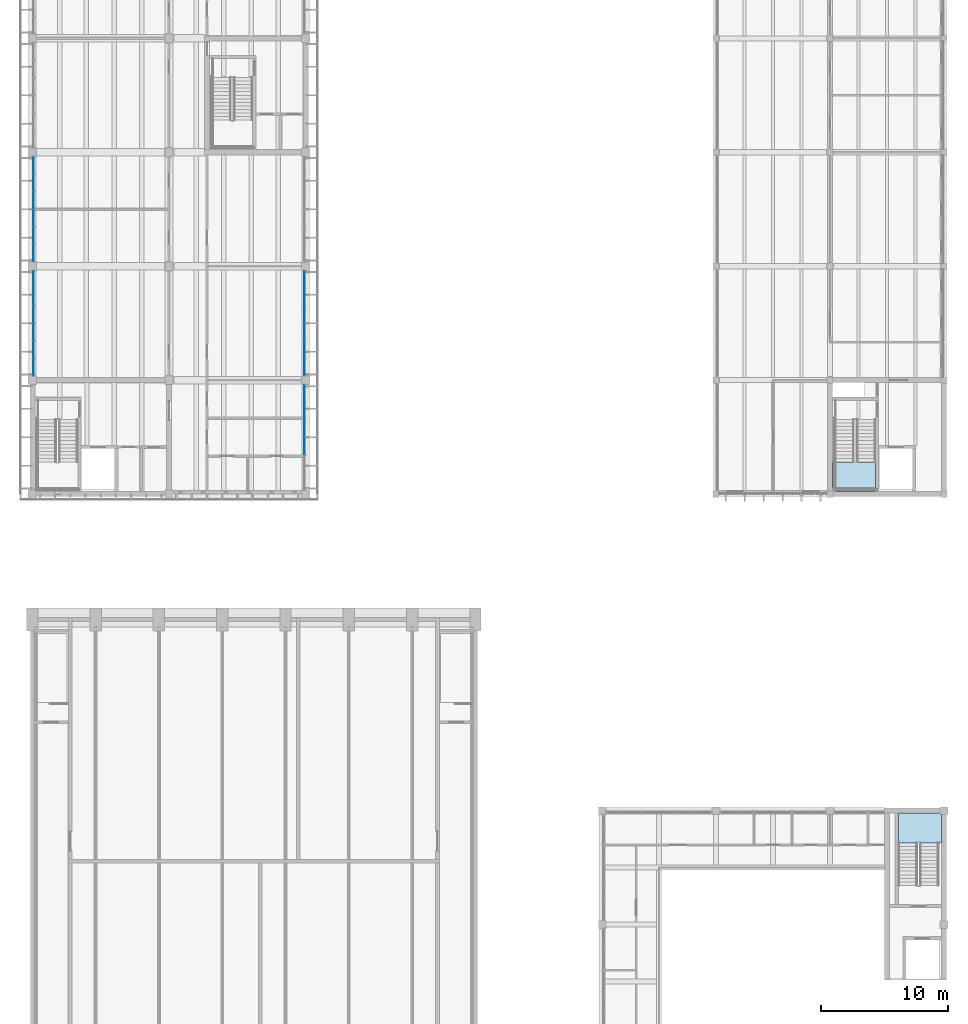
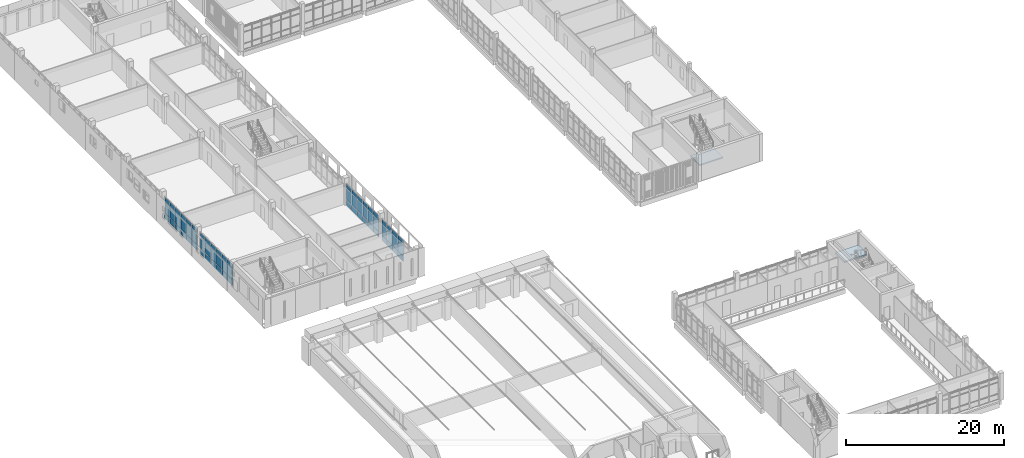
# One storey, part 38 of 92: 66 plates, 2 slabs, 6 elements without a shape of their own.
"""IFC4 building model written with IfcOpenShell, lengths in metres."""

from ifc_helpers import new_model, si_unit, direction, frame, origin, origin_2d, place, context, subcontext, project, spatial, polyline, rectangle, outline, extrude, material, layer, layer_set, type_object, element, aggregate, save


model = new_model("IFC4")

# Units and contexts
model_context = context("Model", 3, precision=1e-05, world=origin(), true_north=direction((0.0, 1.0)))
body_context = subcontext(model_context, "Body", "Model", "MODEL_VIEW")
ifc_project = project(units=[si_unit("LENGTHUNIT", "METRE"), si_unit("AREAUNIT", "SQUARE_METRE"), si_unit("VOLUMEUNIT", "CUBIC_METRE"), si_unit("PLANEANGLEUNIT", "RADIAN"), si_unit("MASSUNIT", "GRAM", prefix="KILO")], contexts=[model_context])

# Site, building, storey
site_placement = place(None, origin())
site = spatial("IfcSite", under=ifc_project, at=site_placement, CompositionType="ELEMENT")
building_placement = place(site_placement, origin())
building = spatial("IfcBuilding", under=site, at=building_placement, Name="Merrow Basin Faculty of Sciences", CompositionType="ELEMENT")
storey_placement = place(building_placement, frame((0.0, 0.0, 4.5)))
storey = spatial("IfcBuildingStorey", under=building, at=storey_placement, Name="L01", CompositionType="ELEMENT", Elevation=4.5)

# Curtain wall, plates
ifc_material_1 = material(Name="Aluminium alloy 6063", Category="aluminium")
curtain_wall_type = type_object("IfcCurtainWallType", Name="Bar unitised curtain wall 180", PredefinedType="NOTDEFINED", material=ifc_material_1)
curtain_wall_1_placement = place(storey_placement, origin())
curtain_wall_1 = element("IfcCurtainWall", 1, at=curtain_wall_1_placement, inside=storey, type_object=curtain_wall_type, Name="West curtain wall L01 1", PredefinedType="NOTDEFINED")
ifc_material_2 = material(Name="Insulated aluminium spandrel panel", Category="aluminium")
ifc_layer_1 = layer(ifc_material_2, 0.052001953125)
ifc_layer_set_1 = layer_set([ifc_layer_1], Name="Insulated spandrel panel 52")
plate_type_1 = type_object("IfcPlateType", Name="Insulated spandrel panel 52", PredefinedType="CURTAIN_PANEL", material=ifc_layer_set_1)
plate_1_placement = place(storey_placement, frame((0.090087890625, 71.035888671875, 0.06005859375), z_axis=(0.0, 0.0, 1.0), x_axis=(0.0, 1.0, 0.0)))
plate_1 = element("IfcPlate", 2, at=plate_1_placement, type_object=plate_type_1, Name="CW1 panel 1.1", PredefinedType="CURTAIN_PANEL", context=body_context, shape_type="SweptSolid", body=[
    extrude(rectangle(XDim=1.3017578125, YDim=0.052001953125, at=origin_2d()), origin(), (0.0, 0.0, 1.0), 0.81005859375),
])
plate_2_placement = place(storey_placement, frame((0.090087890625, 72.41259765625, 0.06005859375), z_axis=(0.0, 0.0, 1.0), x_axis=(0.0, 1.0, 0.0)))
plate_2 = element("IfcPlate", 3, at=plate_2_placement, type_object=plate_type_1, Name="CW1 panel 2.1", PredefinedType="CURTAIN_PANEL", context=body_context, shape_type="SweptSolid", body=[
    extrude(rectangle(XDim=1.331787109375, YDim=0.052001953125, at=origin_2d()), origin(), (0.0, 0.0, 1.0), 0.81005859375),
])
plate_3_placement = place(storey_placement, frame((0.090087890625, 73.80419921875, 0.06005859375), z_axis=(0.0, 0.0, 1.0), x_axis=(0.0, 1.0, 0.0)))
plate_3 = element("IfcPlate", 4, at=plate_3_placement, type_object=plate_type_1, Name="CW1 panel 3.1", PredefinedType="CURTAIN_PANEL", context=body_context, shape_type="SweptSolid", body=[
    extrude(rectangle(XDim=1.331787109375, YDim=0.052001953125, at=origin_2d()), origin(), (0.0, 0.0, 1.0), 0.81005859375),
])
plate_4_placement = place(storey_placement, frame((0.090087890625, 75.19580078125, 0.06005859375), z_axis=(0.0, 0.0, 1.0), x_axis=(0.0, 1.0, 0.0)))
plate_4 = element("IfcPlate", 5, at=plate_4_placement, type_object=plate_type_1, Name="CW1 panel 4.1", PredefinedType="CURTAIN_PANEL", context=body_context, shape_type="SweptSolid", body=[
    extrude(rectangle(XDim=1.331787109375, YDim=0.052001953125, at=origin_2d()), origin(), (0.0, 0.0, 1.0), 0.81005859375),
])
plate_5_placement = place(storey_placement, frame((0.090087890625, 76.58740234375, 0.06005859375), z_axis=(0.0, 0.0, 1.0), x_axis=(0.0, 1.0, 0.0)))
plate_5 = element("IfcPlate", 6, at=plate_5_placement, type_object=plate_type_1, Name="CW1 panel 5.1", PredefinedType="CURTAIN_PANEL", context=body_context, shape_type="SweptSolid", body=[
    extrude(rectangle(XDim=1.331787109375, YDim=0.052001953125, at=origin_2d()), origin(), (0.0, 0.0, 1.0), 0.81005859375),
])
plate_6_placement = place(storey_placement, frame((0.090087890625, 77.964111328125, 0.06005859375), z_axis=(0.0, 0.0, 1.0), x_axis=(0.0, 1.0, 0.0)))
plate_6 = element("IfcPlate", 7, at=plate_6_placement, type_object=plate_type_1, Name="CW1 panel 6.1", PredefinedType="CURTAIN_PANEL", context=body_context, shape_type="SweptSolid", body=[
    extrude(rectangle(XDim=1.3017578125, YDim=0.052001953125, at=origin_2d()), origin(), (0.0, 0.0, 1.0), 0.81005859375),
])

curtain_wall_2_placement = place(storey_placement, origin())
curtain_wall_2 = element("IfcCurtainWall", 8, at=curtain_wall_2_placement, inside=storey, type_object=curtain_wall_type, Name="West curtain wall L01 2", PredefinedType="NOTDEFINED")
plate_7_placement = place(storey_placement, frame((0.090087890625, 80.035888671875, 0.06005859375), z_axis=(0.0, 0.0, 1.0), x_axis=(0.0, 1.0, 0.0)))
plate_7 = element("IfcPlate", 9, at=plate_7_placement, type_object=plate_type_1, Name="CW1 panel 1.1", PredefinedType="CURTAIN_PANEL", context=body_context, shape_type="SweptSolid", body=[
    extrude(rectangle(XDim=1.3017578125, YDim=0.052001953125, at=origin_2d()), origin(), (0.0, 0.0, 1.0), 0.81005859375),
])
plate_8_placement = place(storey_placement, frame((0.090087890625, 81.41259765625, 0.06005859375), z_axis=(0.0, 0.0, 1.0), x_axis=(0.0, 1.0, 0.0)))
plate_8 = element("IfcPlate", 10, at=plate_8_placement, type_object=plate_type_1, Name="CW1 panel 2.1", PredefinedType="CURTAIN_PANEL", context=body_context, shape_type="SweptSolid", body=[
    extrude(rectangle(XDim=1.331787109375, YDim=0.052001953125, at=origin_2d()), origin(), (0.0, 0.0, 1.0), 0.81005859375),
])
plate_9_placement = place(storey_placement, frame((0.090087890625, 82.80419921875, 0.06005859375), z_axis=(0.0, 0.0, 1.0), x_axis=(0.0, 1.0, 0.0)))
plate_9 = element("IfcPlate", 11, at=plate_9_placement, type_object=plate_type_1, Name="CW1 panel 3.1", PredefinedType="CURTAIN_PANEL", context=body_context, shape_type="SweptSolid", body=[
    extrude(rectangle(XDim=1.331787109375, YDim=0.052001953125, at=origin_2d()), origin(), (0.0, 0.0, 1.0), 0.81005859375),
])
plate_10_placement = place(storey_placement, frame((0.090087890625, 84.19580078125, 0.06005859375), z_axis=(0.0, 0.0, 1.0), x_axis=(0.0, 1.0, 0.0)))
plate_10 = element("IfcPlate", 12, at=plate_10_placement, type_object=plate_type_1, Name="CW1 panel 4.1", PredefinedType="CURTAIN_PANEL", context=body_context, shape_type="SweptSolid", body=[
    extrude(rectangle(XDim=1.331787109375, YDim=0.052001953125, at=origin_2d()), origin(), (0.0, 0.0, 1.0), 0.81005859375),
])
plate_11_placement = place(storey_placement, frame((0.090087890625, 85.58740234375, 0.06005859375), z_axis=(0.0, 0.0, 1.0), x_axis=(0.0, 1.0, 0.0)))
plate_11 = element("IfcPlate", 13, at=plate_11_placement, type_object=plate_type_1, Name="CW1 panel 5.1", PredefinedType="CURTAIN_PANEL", context=body_context, shape_type="SweptSolid", body=[
    extrude(rectangle(XDim=1.331787109375, YDim=0.052001953125, at=origin_2d()), origin(), (0.0, 0.0, 1.0), 0.81005859375),
])
plate_12_placement = place(storey_placement, frame((0.090087890625, 86.964111328125, 0.06005859375), z_axis=(0.0, 0.0, 1.0), x_axis=(0.0, 1.0, 0.0)))
plate_12 = element("IfcPlate", 14, at=plate_12_placement, type_object=plate_type_1, Name="CW1 panel 6.1", PredefinedType="CURTAIN_PANEL", context=body_context, shape_type="SweptSolid", body=[
    extrude(rectangle(XDim=1.3017578125, YDim=0.052001953125, at=origin_2d()), origin(), (0.0, 0.0, 1.0), 0.81005859375),
])

curtain_wall_3_placement = place(storey_placement, origin())
curtain_wall_3 = element("IfcCurtainWall", 15, at=curtain_wall_3_placement, inside=storey, type_object=curtain_wall_type, Name="East curtain wall L01 1", PredefinedType="NOTDEFINED")
plate_13_placement = place(storey_placement, frame((21.510009765625, 64.80419921875, 0.06005859375), z_axis=(0.0, 0.0, 1.0), x_axis=(0.0, 1.0, 0.0)))
plate_13 = element("IfcPlate", 16, at=plate_13_placement, type_object=plate_type_1, Name="CW1 panel 3.1", PredefinedType="CURTAIN_PANEL", context=body_context, shape_type="SweptSolid", body=[
    extrude(rectangle(XDim=1.331787109375, YDim=0.052001953125, at=origin_2d()), origin(), (0.0, 0.0, 1.0), 0.81005859375),
])
plate_14_placement = place(storey_placement, frame((21.510009765625, 66.19580078125, 0.06005859375), z_axis=(0.0, 0.0, 1.0), x_axis=(0.0, 1.0, 0.0)))
plate_14 = element("IfcPlate", 17, at=plate_14_placement, type_object=plate_type_1, Name="CW1 panel 4.1", PredefinedType="CURTAIN_PANEL", context=body_context, shape_type="SweptSolid", body=[
    extrude(rectangle(XDim=1.331787109375, YDim=0.052001953125, at=origin_2d()), origin(), (0.0, 0.0, 1.0), 0.81005859375),
])
plate_15_placement = place(storey_placement, frame((21.510009765625, 67.58740234375, 0.06005859375), z_axis=(0.0, 0.0, 1.0), x_axis=(0.0, 1.0, 0.0)))
plate_15 = element("IfcPlate", 18, at=plate_15_placement, type_object=plate_type_1, Name="CW1 panel 5.1", PredefinedType="CURTAIN_PANEL", context=body_context, shape_type="SweptSolid", body=[
    extrude(rectangle(XDim=1.331787109375, YDim=0.052001953125, at=origin_2d()), origin(), (0.0, 0.0, 1.0), 0.81005859375),
])
plate_16_placement = place(storey_placement, frame((21.510009765625, 68.964111328125, 0.06005859375), z_axis=(0.0, 0.0, 1.0), x_axis=(0.0, 1.0, 0.0)))
plate_16 = element("IfcPlate", 19, at=plate_16_placement, type_object=plate_type_1, Name="CW1 panel 6.1", PredefinedType="CURTAIN_PANEL", context=body_context, shape_type="SweptSolid", body=[
    extrude(rectangle(XDim=1.3017578125, YDim=0.052001953125, at=origin_2d()), origin(), (0.0, 0.0, 1.0), 0.81005859375),
])

curtain_wall_4_placement = place(storey_placement, origin())
curtain_wall_4 = element("IfcCurtainWall", 20, at=curtain_wall_4_placement, inside=storey, type_object=curtain_wall_type, Name="East curtain wall L01 2", PredefinedType="NOTDEFINED")
plate_17_placement = place(storey_placement, frame((21.510009765625, 71.035888671875, 0.06005859375), z_axis=(0.0, 0.0, 1.0), x_axis=(0.0, 1.0, 0.0)))
plate_17 = element("IfcPlate", 21, at=plate_17_placement, type_object=plate_type_1, Name="CW1 panel 1.1", PredefinedType="CURTAIN_PANEL", context=body_context, shape_type="SweptSolid", body=[
    extrude(rectangle(XDim=1.3017578125, YDim=0.052001953125, at=origin_2d()), origin(), (0.0, 0.0, 1.0), 0.81005859375),
])
plate_18_placement = place(storey_placement, frame((21.510009765625, 72.41259765625, 0.06005859375), z_axis=(0.0, 0.0, 1.0), x_axis=(0.0, 1.0, 0.0)))
plate_18 = element("IfcPlate", 22, at=plate_18_placement, type_object=plate_type_1, Name="CW1 panel 2.1", PredefinedType="CURTAIN_PANEL", context=body_context, shape_type="SweptSolid", body=[
    extrude(rectangle(XDim=1.331787109375, YDim=0.052001953125, at=origin_2d()), origin(), (0.0, 0.0, 1.0), 0.81005859375),
])
plate_19_placement = place(storey_placement, frame((21.510009765625, 73.80419921875, 0.06005859375), z_axis=(0.0, 0.0, 1.0), x_axis=(0.0, 1.0, 0.0)))
plate_19 = element("IfcPlate", 23, at=plate_19_placement, type_object=plate_type_1, Name="CW1 panel 3.1", PredefinedType="CURTAIN_PANEL", context=body_context, shape_type="SweptSolid", body=[
    extrude(rectangle(XDim=1.331787109375, YDim=0.052001953125, at=origin_2d()), origin(), (0.0, 0.0, 1.0), 0.81005859375),
])
plate_20_placement = place(storey_placement, frame((21.510009765625, 75.19580078125, 0.06005859375), z_axis=(0.0, 0.0, 1.0), x_axis=(0.0, 1.0, 0.0)))
plate_20 = element("IfcPlate", 24, at=plate_20_placement, type_object=plate_type_1, Name="CW1 panel 4.1", PredefinedType="CURTAIN_PANEL", context=body_context, shape_type="SweptSolid", body=[
    extrude(rectangle(XDim=1.331787109375, YDim=0.052001953125, at=origin_2d()), origin(), (0.0, 0.0, 1.0), 0.81005859375),
])
plate_21_placement = place(storey_placement, frame((21.510009765625, 76.58740234375, 0.06005859375), z_axis=(0.0, 0.0, 1.0), x_axis=(0.0, 1.0, 0.0)))
plate_21 = element("IfcPlate", 25, at=plate_21_placement, type_object=plate_type_1, Name="CW1 panel 5.1", PredefinedType="CURTAIN_PANEL", context=body_context, shape_type="SweptSolid", body=[
    extrude(rectangle(XDim=1.331787109375, YDim=0.052001953125, at=origin_2d()), origin(), (0.0, 0.0, 1.0), 0.81005859375),
])
plate_22_placement = place(storey_placement, frame((21.510009765625, 77.964111328125, 0.06005859375), z_axis=(0.0, 0.0, 1.0), x_axis=(0.0, 1.0, 0.0)))
plate_22 = element("IfcPlate", 26, at=plate_22_placement, type_object=plate_type_1, Name="CW1 panel 6.1", PredefinedType="CURTAIN_PANEL", context=body_context, shape_type="SweptSolid", body=[
    extrude(rectangle(XDim=1.3017578125, YDim=0.052001953125, at=origin_2d()), origin(), (0.0, 0.0, 1.0), 0.81005859375),
])

# Plate
ifc_material_3 = material(Name="Low-E double glazing", Category="glass")
ifc_layer_2 = layer(ifc_material_3, 0.028076171875)
ifc_layer_set_2 = layer_set([ifc_layer_2], Name="Low-E double glazed panel 28")
plate_type_2 = type_object("IfcPlateType", Name="Low-E double glazed panel 28", PredefinedType="CURTAIN_PANEL", material=ifc_layer_set_2)
plate_23_placement = place(storey_placement, frame((0.090087890625, 71.035888671875, 0.93017578125), z_axis=(0.0, 0.0, 1.0), x_axis=(0.0, 1.0, 0.0)))
plate_23 = element("IfcPlate", 27, at=plate_23_placement, type_object=plate_type_2, Name="CW1 panel 1.2", PredefinedType="CURTAIN_PANEL", context=body_context, shape_type="SweptSolid", body=[
    extrude(rectangle(XDim=1.3017578125, YDim=0.028076171875, at=origin_2d()), origin(), (0.0, 0.0, 1.0), 1.739990234375),
])

plate_24_placement = place(storey_placement, frame((0.090087890625, 71.035888671875, 2.72998046875), z_axis=(0.0, 0.0, 1.0), x_axis=(0.0, 1.0, 0.0)))
plate_24 = element("IfcPlate", 28, at=plate_24_placement, type_object=plate_type_2, Name="CW1 panel 1.3", PredefinedType="CURTAIN_PANEL", context=body_context, shape_type="SweptSolid", body=[
    extrude(rectangle(XDim=1.3017578125, YDim=0.028076171875, at=origin_2d()), origin(), (0.0, 0.0, 1.0), 0.610107421875),
])

plate_25_placement = place(storey_placement, frame((0.090087890625, 72.41259765625, 0.93017578125), z_axis=(0.0, 0.0, 1.0), x_axis=(0.0, 1.0, 0.0)))
plate_25 = element("IfcPlate", 29, at=plate_25_placement, type_object=plate_type_2, Name="CW1 panel 2.2", PredefinedType="CURTAIN_PANEL", context=body_context, shape_type="SweptSolid", body=[
    extrude(rectangle(XDim=1.331787109375, YDim=0.028076171875, at=origin_2d()), origin(), (0.0, 0.0, 1.0), 1.739990234375),
])

plate_26_placement = place(storey_placement, frame((0.090087890625, 72.41259765625, 2.72998046875), z_axis=(0.0, 0.0, 1.0), x_axis=(0.0, 1.0, 0.0)))
plate_26 = element("IfcPlate", 30, at=plate_26_placement, type_object=plate_type_2, Name="CW1 panel 2.3", PredefinedType="CURTAIN_PANEL", context=body_context, shape_type="SweptSolid", body=[
    extrude(rectangle(XDim=1.331787109375, YDim=0.028076171875, at=origin_2d()), origin(), (0.0, 0.0, 1.0), 0.610107421875),
])

plate_27_placement = place(storey_placement, frame((0.090087890625, 73.80419921875, 0.93017578125), z_axis=(0.0, 0.0, 1.0), x_axis=(0.0, 1.0, 0.0)))
plate_27 = element("IfcPlate", 31, at=plate_27_placement, type_object=plate_type_2, Name="CW1 panel 3.2", PredefinedType="CURTAIN_PANEL", context=body_context, shape_type="SweptSolid", body=[
    extrude(rectangle(XDim=1.331787109375, YDim=0.028076171875, at=origin_2d()), origin(), (0.0, 0.0, 1.0), 1.739990234375),
])

plate_28_placement = place(storey_placement, frame((0.090087890625, 73.80419921875, 2.72998046875), z_axis=(0.0, 0.0, 1.0), x_axis=(0.0, 1.0, 0.0)))
plate_28 = element("IfcPlate", 32, at=plate_28_placement, type_object=plate_type_2, Name="CW1 panel 3.3", PredefinedType="CURTAIN_PANEL", context=body_context, shape_type="SweptSolid", body=[
    extrude(rectangle(XDim=1.331787109375, YDim=0.028076171875, at=origin_2d()), origin(), (0.0, 0.0, 1.0), 0.610107421875),
])

plate_29_placement = place(storey_placement, frame((0.090087890625, 75.19580078125, 0.93017578125), z_axis=(0.0, 0.0, 1.0), x_axis=(0.0, 1.0, 0.0)))
plate_29 = element("IfcPlate", 33, at=plate_29_placement, type_object=plate_type_2, Name="CW1 panel 4.2", PredefinedType="CURTAIN_PANEL", context=body_context, shape_type="SweptSolid", body=[
    extrude(rectangle(XDim=1.331787109375, YDim=0.028076171875, at=origin_2d()), origin(), (0.0, 0.0, 1.0), 1.739990234375),
])

plate_30_placement = place(storey_placement, frame((0.090087890625, 75.19580078125, 2.72998046875), z_axis=(0.0, 0.0, 1.0), x_axis=(0.0, 1.0, 0.0)))
plate_30 = element("IfcPlate", 34, at=plate_30_placement, type_object=plate_type_2, Name="CW1 panel 4.3", PredefinedType="CURTAIN_PANEL", context=body_context, shape_type="SweptSolid", body=[
    extrude(rectangle(XDim=1.331787109375, YDim=0.028076171875, at=origin_2d()), origin(), (0.0, 0.0, 1.0), 0.610107421875),
])

plate_31_placement = place(storey_placement, frame((0.090087890625, 76.58740234375, 0.93017578125), z_axis=(0.0, 0.0, 1.0), x_axis=(0.0, 1.0, 0.0)))
plate_31 = element("IfcPlate", 35, at=plate_31_placement, type_object=plate_type_2, Name="CW1 panel 5.2", PredefinedType="CURTAIN_PANEL", context=body_context, shape_type="SweptSolid", body=[
    extrude(rectangle(XDim=1.331787109375, YDim=0.028076171875, at=origin_2d()), origin(), (0.0, 0.0, 1.0), 1.739990234375),
])

plate_32_placement = place(storey_placement, frame((0.090087890625, 76.58740234375, 2.72998046875), z_axis=(0.0, 0.0, 1.0), x_axis=(0.0, 1.0, 0.0)))
plate_32 = element("IfcPlate", 36, at=plate_32_placement, type_object=plate_type_2, Name="CW1 panel 5.3", PredefinedType="CURTAIN_PANEL", context=body_context, shape_type="SweptSolid", body=[
    extrude(rectangle(XDim=1.331787109375, YDim=0.028076171875, at=origin_2d()), origin(), (0.0, 0.0, 1.0), 0.610107421875),
])

plate_33_placement = place(storey_placement, frame((0.090087890625, 77.964111328125, 0.93017578125), z_axis=(0.0, 0.0, 1.0), x_axis=(0.0, 1.0, 0.0)))
plate_33 = element("IfcPlate", 37, at=plate_33_placement, type_object=plate_type_2, Name="CW1 panel 6.2", PredefinedType="CURTAIN_PANEL", context=body_context, shape_type="SweptSolid", body=[
    extrude(rectangle(XDim=1.3017578125, YDim=0.028076171875, at=origin_2d()), origin(), (0.0, 0.0, 1.0), 1.739990234375),
])

plate_34_placement = place(storey_placement, frame((0.090087890625, 77.964111328125, 2.72998046875), z_axis=(0.0, 0.0, 1.0), x_axis=(0.0, 1.0, 0.0)))
plate_34 = element("IfcPlate", 38, at=plate_34_placement, type_object=plate_type_2, Name="CW1 panel 6.3", PredefinedType="CURTAIN_PANEL", context=body_context, shape_type="SweptSolid", body=[
    extrude(rectangle(XDim=1.3017578125, YDim=0.028076171875, at=origin_2d()), origin(), (0.0, 0.0, 1.0), 0.610107421875),
])

aggregate(curtain_wall_1, [plate_1, plate_23, plate_24, plate_2, plate_25, plate_26, plate_3, plate_27, plate_28, plate_4, plate_29, plate_30, plate_5, plate_31, plate_32, plate_6, plate_33, plate_34])

plate_35_placement = place(storey_placement, frame((0.090087890625, 80.035888671875, 0.93017578125), z_axis=(0.0, 0.0, 1.0), x_axis=(0.0, 1.0, 0.0)))
plate_35 = element("IfcPlate", 39, at=plate_35_placement, type_object=plate_type_2, Name="CW1 panel 1.2", PredefinedType="CURTAIN_PANEL", context=body_context, shape_type="SweptSolid", body=[
    extrude(rectangle(XDim=1.3017578125, YDim=0.028076171875, at=origin_2d()), origin(), (0.0, 0.0, 1.0), 1.739990234375),
])

plate_36_placement = place(storey_placement, frame((0.090087890625, 80.035888671875, 2.72998046875), z_axis=(0.0, 0.0, 1.0), x_axis=(0.0, 1.0, 0.0)))
plate_36 = element("IfcPlate", 40, at=plate_36_placement, type_object=plate_type_2, Name="CW1 panel 1.3", PredefinedType="CURTAIN_PANEL", context=body_context, shape_type="SweptSolid", body=[
    extrude(rectangle(XDim=1.3017578125, YDim=0.028076171875, at=origin_2d()), origin(), (0.0, 0.0, 1.0), 0.610107421875),
])

plate_37_placement = place(storey_placement, frame((0.090087890625, 81.41259765625, 0.93017578125), z_axis=(0.0, 0.0, 1.0), x_axis=(0.0, 1.0, 0.0)))
plate_37 = element("IfcPlate", 41, at=plate_37_placement, type_object=plate_type_2, Name="CW1 panel 2.2", PredefinedType="CURTAIN_PANEL", context=body_context, shape_type="SweptSolid", body=[
    extrude(rectangle(XDim=1.331787109375, YDim=0.028076171875, at=origin_2d()), origin(), (0.0, 0.0, 1.0), 1.739990234375),
])

plate_38_placement = place(storey_placement, frame((0.090087890625, 81.41259765625, 2.72998046875), z_axis=(0.0, 0.0, 1.0), x_axis=(0.0, 1.0, 0.0)))
plate_38 = element("IfcPlate", 42, at=plate_38_placement, type_object=plate_type_2, Name="CW1 panel 2.3", PredefinedType="CURTAIN_PANEL", context=body_context, shape_type="SweptSolid", body=[
    extrude(rectangle(XDim=1.331787109375, YDim=0.028076171875, at=origin_2d()), origin(), (0.0, 0.0, 1.0), 0.610107421875),
])

plate_39_placement = place(storey_placement, frame((0.090087890625, 82.80419921875, 0.93017578125), z_axis=(0.0, 0.0, 1.0), x_axis=(0.0, 1.0, 0.0)))
plate_39 = element("IfcPlate", 43, at=plate_39_placement, type_object=plate_type_2, Name="CW1 panel 3.2", PredefinedType="CURTAIN_PANEL", context=body_context, shape_type="SweptSolid", body=[
    extrude(rectangle(XDim=1.331787109375, YDim=0.028076171875, at=origin_2d()), origin(), (0.0, 0.0, 1.0), 1.739990234375),
])

plate_40_placement = place(storey_placement, frame((0.090087890625, 82.80419921875, 2.72998046875), z_axis=(0.0, 0.0, 1.0), x_axis=(0.0, 1.0, 0.0)))
plate_40 = element("IfcPlate", 44, at=plate_40_placement, type_object=plate_type_2, Name="CW1 panel 3.3", PredefinedType="CURTAIN_PANEL", context=body_context, shape_type="SweptSolid", body=[
    extrude(rectangle(XDim=1.331787109375, YDim=0.028076171875, at=origin_2d()), origin(), (0.0, 0.0, 1.0), 0.610107421875),
])

plate_41_placement = place(storey_placement, frame((0.090087890625, 84.19580078125, 0.93017578125), z_axis=(0.0, 0.0, 1.0), x_axis=(0.0, 1.0, 0.0)))
plate_41 = element("IfcPlate", 45, at=plate_41_placement, type_object=plate_type_2, Name="CW1 panel 4.2", PredefinedType="CURTAIN_PANEL", context=body_context, shape_type="SweptSolid", body=[
    extrude(rectangle(XDim=1.331787109375, YDim=0.028076171875, at=origin_2d()), origin(), (0.0, 0.0, 1.0), 1.739990234375),
])

plate_42_placement = place(storey_placement, frame((0.090087890625, 84.19580078125, 2.72998046875), z_axis=(0.0, 0.0, 1.0), x_axis=(0.0, 1.0, 0.0)))
plate_42 = element("IfcPlate", 46, at=plate_42_placement, type_object=plate_type_2, Name="CW1 panel 4.3", PredefinedType="CURTAIN_PANEL", context=body_context, shape_type="SweptSolid", body=[
    extrude(rectangle(XDim=1.331787109375, YDim=0.028076171875, at=origin_2d()), origin(), (0.0, 0.0, 1.0), 0.610107421875),
])

plate_43_placement = place(storey_placement, frame((0.090087890625, 85.58740234375, 0.93017578125), z_axis=(0.0, 0.0, 1.0), x_axis=(0.0, 1.0, 0.0)))
plate_43 = element("IfcPlate", 47, at=plate_43_placement, type_object=plate_type_2, Name="CW1 panel 5.2", PredefinedType="CURTAIN_PANEL", context=body_context, shape_type="SweptSolid", body=[
    extrude(rectangle(XDim=1.331787109375, YDim=0.028076171875, at=origin_2d()), origin(), (0.0, 0.0, 1.0), 1.739990234375),
])

plate_44_placement = place(storey_placement, frame((0.090087890625, 85.58740234375, 2.72998046875), z_axis=(0.0, 0.0, 1.0), x_axis=(0.0, 1.0, 0.0)))
plate_44 = element("IfcPlate", 48, at=plate_44_placement, type_object=plate_type_2, Name="CW1 panel 5.3", PredefinedType="CURTAIN_PANEL", context=body_context, shape_type="SweptSolid", body=[
    extrude(rectangle(XDim=1.331787109375, YDim=0.028076171875, at=origin_2d()), origin(), (0.0, 0.0, 1.0), 0.610107421875),
])

plate_45_placement = place(storey_placement, frame((0.090087890625, 86.964111328125, 0.93017578125), z_axis=(0.0, 0.0, 1.0), x_axis=(0.0, 1.0, 0.0)))
plate_45 = element("IfcPlate", 49, at=plate_45_placement, type_object=plate_type_2, Name="CW1 panel 6.2", PredefinedType="CURTAIN_PANEL", context=body_context, shape_type="SweptSolid", body=[
    extrude(rectangle(XDim=1.3017578125, YDim=0.028076171875, at=origin_2d()), origin(), (0.0, 0.0, 1.0), 1.739990234375),
])

plate_46_placement = place(storey_placement, frame((0.090087890625, 86.964111328125, 2.72998046875), z_axis=(0.0, 0.0, 1.0), x_axis=(0.0, 1.0, 0.0)))
plate_46 = element("IfcPlate", 50, at=plate_46_placement, type_object=plate_type_2, Name="CW1 panel 6.3", PredefinedType="CURTAIN_PANEL", context=body_context, shape_type="SweptSolid", body=[
    extrude(rectangle(XDim=1.3017578125, YDim=0.028076171875, at=origin_2d()), origin(), (0.0, 0.0, 1.0), 0.610107421875),
])

aggregate(curtain_wall_2, [plate_7, plate_35, plate_36, plate_8, plate_37, plate_38, plate_9, plate_39, plate_40, plate_10, plate_41, plate_42, plate_11, plate_43, plate_44, plate_12, plate_45, plate_46])

plate_47_placement = place(storey_placement, frame((21.510009765625, 64.80419921875, 0.93017578125), z_axis=(0.0, 0.0, 1.0), x_axis=(0.0, 1.0, 0.0)))
plate_47 = element("IfcPlate", 51, at=plate_47_placement, type_object=plate_type_2, Name="CW1 panel 3.2", PredefinedType="CURTAIN_PANEL", context=body_context, shape_type="SweptSolid", body=[
    extrude(rectangle(XDim=1.331787109375, YDim=0.028076171875, at=origin_2d()), origin(), (0.0, 0.0, 1.0), 1.739990234375),
])

plate_48_placement = place(storey_placement, frame((21.510009765625, 64.80419921875, 2.72998046875), z_axis=(0.0, 0.0, 1.0), x_axis=(0.0, 1.0, 0.0)))
plate_48 = element("IfcPlate", 52, at=plate_48_placement, type_object=plate_type_2, Name="CW1 panel 3.3", PredefinedType="CURTAIN_PANEL", context=body_context, shape_type="SweptSolid", body=[
    extrude(rectangle(XDim=1.331787109375, YDim=0.028076171875, at=origin_2d()), origin(), (0.0, 0.0, 1.0), 0.610107421875),
])

plate_49_placement = place(storey_placement, frame((21.510009765625, 66.19580078125, 0.93017578125), z_axis=(0.0, 0.0, 1.0), x_axis=(0.0, 1.0, 0.0)))
plate_49 = element("IfcPlate", 53, at=plate_49_placement, type_object=plate_type_2, Name="CW1 panel 4.2", PredefinedType="CURTAIN_PANEL", context=body_context, shape_type="SweptSolid", body=[
    extrude(rectangle(XDim=1.331787109375, YDim=0.028076171875, at=origin_2d()), origin(), (0.0, 0.0, 1.0), 1.739990234375),
])

plate_50_placement = place(storey_placement, frame((21.510009765625, 66.19580078125, 2.72998046875), z_axis=(0.0, 0.0, 1.0), x_axis=(0.0, 1.0, 0.0)))
plate_50 = element("IfcPlate", 54, at=plate_50_placement, type_object=plate_type_2, Name="CW1 panel 4.3", PredefinedType="CURTAIN_PANEL", context=body_context, shape_type="SweptSolid", body=[
    extrude(rectangle(XDim=1.331787109375, YDim=0.028076171875, at=origin_2d()), origin(), (0.0, 0.0, 1.0), 0.610107421875),
])

plate_51_placement = place(storey_placement, frame((21.510009765625, 67.58740234375, 0.93017578125), z_axis=(0.0, 0.0, 1.0), x_axis=(0.0, 1.0, 0.0)))
plate_51 = element("IfcPlate", 55, at=plate_51_placement, type_object=plate_type_2, Name="CW1 panel 5.2", PredefinedType="CURTAIN_PANEL", context=body_context, shape_type="SweptSolid", body=[
    extrude(rectangle(XDim=1.331787109375, YDim=0.028076171875, at=origin_2d()), origin(), (0.0, 0.0, 1.0), 1.739990234375),
])

plate_52_placement = place(storey_placement, frame((21.510009765625, 67.58740234375, 2.72998046875), z_axis=(0.0, 0.0, 1.0), x_axis=(0.0, 1.0, 0.0)))
plate_52 = element("IfcPlate", 56, at=plate_52_placement, type_object=plate_type_2, Name="CW1 panel 5.3", PredefinedType="CURTAIN_PANEL", context=body_context, shape_type="SweptSolid", body=[
    extrude(rectangle(XDim=1.331787109375, YDim=0.028076171875, at=origin_2d()), origin(), (0.0, 0.0, 1.0), 0.610107421875),
])

plate_53_placement = place(storey_placement, frame((21.510009765625, 68.964111328125, 0.93017578125), z_axis=(0.0, 0.0, 1.0), x_axis=(0.0, 1.0, 0.0)))
plate_53 = element("IfcPlate", 57, at=plate_53_placement, type_object=plate_type_2, Name="CW1 panel 6.2", PredefinedType="CURTAIN_PANEL", context=body_context, shape_type="SweptSolid", body=[
    extrude(rectangle(XDim=1.3017578125, YDim=0.028076171875, at=origin_2d()), origin(), (0.0, 0.0, 1.0), 1.739990234375),
])

plate_54_placement = place(storey_placement, frame((21.510009765625, 68.964111328125, 2.72998046875), z_axis=(0.0, 0.0, 1.0), x_axis=(0.0, 1.0, 0.0)))
plate_54 = element("IfcPlate", 58, at=plate_54_placement, type_object=plate_type_2, Name="CW1 panel 6.3", PredefinedType="CURTAIN_PANEL", context=body_context, shape_type="SweptSolid", body=[
    extrude(rectangle(XDim=1.3017578125, YDim=0.028076171875, at=origin_2d()), origin(), (0.0, 0.0, 1.0), 0.610107421875),
])

aggregate(curtain_wall_3, [plate_13, plate_47, plate_48, plate_14, plate_49, plate_50, plate_15, plate_51, plate_52, plate_16, plate_53, plate_54])

plate_55_placement = place(storey_placement, frame((21.510009765625, 71.035888671875, 0.93017578125), z_axis=(0.0, 0.0, 1.0), x_axis=(0.0, 1.0, 0.0)))
plate_55 = element("IfcPlate", 59, at=plate_55_placement, type_object=plate_type_2, Name="CW1 panel 1.2", PredefinedType="CURTAIN_PANEL", context=body_context, shape_type="SweptSolid", body=[
    extrude(rectangle(XDim=1.3017578125, YDim=0.028076171875, at=origin_2d()), origin(), (0.0, 0.0, 1.0), 1.739990234375),
])

plate_56_placement = place(storey_placement, frame((21.510009765625, 71.035888671875, 2.72998046875), z_axis=(0.0, 0.0, 1.0), x_axis=(0.0, 1.0, 0.0)))
plate_56 = element("IfcPlate", 60, at=plate_56_placement, type_object=plate_type_2, Name="CW1 panel 1.3", PredefinedType="CURTAIN_PANEL", context=body_context, shape_type="SweptSolid", body=[
    extrude(rectangle(XDim=1.3017578125, YDim=0.028076171875, at=origin_2d()), origin(), (0.0, 0.0, 1.0), 0.610107421875),
])

plate_57_placement = place(storey_placement, frame((21.510009765625, 72.41259765625, 0.93017578125), z_axis=(0.0, 0.0, 1.0), x_axis=(0.0, 1.0, 0.0)))
plate_57 = element("IfcPlate", 61, at=plate_57_placement, type_object=plate_type_2, Name="CW1 panel 2.2", PredefinedType="CURTAIN_PANEL", context=body_context, shape_type="SweptSolid", body=[
    extrude(rectangle(XDim=1.331787109375, YDim=0.028076171875, at=origin_2d()), origin(), (0.0, 0.0, 1.0), 1.739990234375),
])

plate_58_placement = place(storey_placement, frame((21.510009765625, 72.41259765625, 2.72998046875), z_axis=(0.0, 0.0, 1.0), x_axis=(0.0, 1.0, 0.0)))
plate_58 = element("IfcPlate", 62, at=plate_58_placement, type_object=plate_type_2, Name="CW1 panel 2.3", PredefinedType="CURTAIN_PANEL", context=body_context, shape_type="SweptSolid", body=[
    extrude(rectangle(XDim=1.331787109375, YDim=0.028076171875, at=origin_2d()), origin(), (0.0, 0.0, 1.0), 0.610107421875),
])

plate_59_placement = place(storey_placement, frame((21.510009765625, 73.80419921875, 0.93017578125), z_axis=(0.0, 0.0, 1.0), x_axis=(0.0, 1.0, 0.0)))
plate_59 = element("IfcPlate", 63, at=plate_59_placement, type_object=plate_type_2, Name="CW1 panel 3.2", PredefinedType="CURTAIN_PANEL", context=body_context, shape_type="SweptSolid", body=[
    extrude(rectangle(XDim=1.331787109375, YDim=0.028076171875, at=origin_2d()), origin(), (0.0, 0.0, 1.0), 1.739990234375),
])

plate_60_placement = place(storey_placement, frame((21.510009765625, 73.80419921875, 2.72998046875), z_axis=(0.0, 0.0, 1.0), x_axis=(0.0, 1.0, 0.0)))
plate_60 = element("IfcPlate", 64, at=plate_60_placement, type_object=plate_type_2, Name="CW1 panel 3.3", PredefinedType="CURTAIN_PANEL", context=body_context, shape_type="SweptSolid", body=[
    extrude(rectangle(XDim=1.331787109375, YDim=0.028076171875, at=origin_2d()), origin(), (0.0, 0.0, 1.0), 0.610107421875),
])

plate_61_placement = place(storey_placement, frame((21.510009765625, 75.19580078125, 0.93017578125), z_axis=(0.0, 0.0, 1.0), x_axis=(0.0, 1.0, 0.0)))
plate_61 = element("IfcPlate", 65, at=plate_61_placement, type_object=plate_type_2, Name="CW1 panel 4.2", PredefinedType="CURTAIN_PANEL", context=body_context, shape_type="SweptSolid", body=[
    extrude(rectangle(XDim=1.331787109375, YDim=0.028076171875, at=origin_2d()), origin(), (0.0, 0.0, 1.0), 1.739990234375),
])

plate_62_placement = place(storey_placement, frame((21.510009765625, 75.19580078125, 2.72998046875), z_axis=(0.0, 0.0, 1.0), x_axis=(0.0, 1.0, 0.0)))
plate_62 = element("IfcPlate", 66, at=plate_62_placement, type_object=plate_type_2, Name="CW1 panel 4.3", PredefinedType="CURTAIN_PANEL", context=body_context, shape_type="SweptSolid", body=[
    extrude(rectangle(XDim=1.331787109375, YDim=0.028076171875, at=origin_2d()), origin(), (0.0, 0.0, 1.0), 0.610107421875),
])

plate_63_placement = place(storey_placement, frame((21.510009765625, 76.58740234375, 0.93017578125), z_axis=(0.0, 0.0, 1.0), x_axis=(0.0, 1.0, 0.0)))
plate_63 = element("IfcPlate", 67, at=plate_63_placement, type_object=plate_type_2, Name="CW1 panel 5.2", PredefinedType="CURTAIN_PANEL", context=body_context, shape_type="SweptSolid", body=[
    extrude(rectangle(XDim=1.331787109375, YDim=0.028076171875, at=origin_2d()), origin(), (0.0, 0.0, 1.0), 1.739990234375),
])

plate_64_placement = place(storey_placement, frame((21.510009765625, 76.58740234375, 2.72998046875), z_axis=(0.0, 0.0, 1.0), x_axis=(0.0, 1.0, 0.0)))
plate_64 = element("IfcPlate", 68, at=plate_64_placement, type_object=plate_type_2, Name="CW1 panel 5.3", PredefinedType="CURTAIN_PANEL", context=body_context, shape_type="SweptSolid", body=[
    extrude(rectangle(XDim=1.331787109375, YDim=0.028076171875, at=origin_2d()), origin(), (0.0, 0.0, 1.0), 0.610107421875),
])

plate_65_placement = place(storey_placement, frame((21.510009765625, 77.964111328125, 0.93017578125), z_axis=(0.0, 0.0, 1.0), x_axis=(0.0, 1.0, 0.0)))
plate_65 = element("IfcPlate", 69, at=plate_65_placement, type_object=plate_type_2, Name="CW1 panel 6.2", PredefinedType="CURTAIN_PANEL", context=body_context, shape_type="SweptSolid", body=[
    extrude(rectangle(XDim=1.3017578125, YDim=0.028076171875, at=origin_2d()), origin(), (0.0, 0.0, 1.0), 1.739990234375),
])

plate_66_placement = place(storey_placement, frame((21.510009765625, 77.964111328125, 2.72998046875), z_axis=(0.0, 0.0, 1.0), x_axis=(0.0, 1.0, 0.0)))
plate_66 = element("IfcPlate", 70, at=plate_66_placement, type_object=plate_type_2, Name="CW1 panel 6.3", PredefinedType="CURTAIN_PANEL", context=body_context, shape_type="SweptSolid", body=[
    extrude(rectangle(XDim=1.3017578125, YDim=0.028076171875, at=origin_2d()), origin(), (0.0, 0.0, 1.0), 0.610107421875),
])

aggregate(curtain_wall_4, [plate_17, plate_55, plate_56, plate_18, plate_57, plate_58, plate_19, plate_59, plate_60, plate_20, plate_61, plate_62, plate_21, plate_63, plate_64, plate_22, plate_65, plate_66])

# Stair, slab
ifc_material_4 = material(Name="Concrete C40/50", Category="concrete")
stair_type = type_object("IfcStairType", Name="Concrete dog-leg stair Concrete C40/50", PredefinedType="HALF_TURN_STAIR", material=ifc_material_4)
stair_1_placement = place(storey_placement, origin())
stair_1 = element("IfcStair", 71, at=stair_1_placement, inside=storey, type_object=stair_type, Name="L01 Exit stair S", PredefinedType="HALF_TURN_STAIR")
ifc_material_5 = material(Name="Concrete C40/50", Category="concrete")
ifc_layer_3 = layer(ifc_material_5, 0.199951171875)
ifc_layer_set_3 = layer_set([ifc_layer_3], Name="Stair landing 200 Concrete C40/50")
slab_type = type_object("IfcSlabType", Name="Stair landing 200 Concrete C40/50", PredefinedType="LANDING", material=ifc_layer_set_3)
slab_1_placement = place(storey_placement, frame((0.0, 0.0, 2.050048828125)))
slab_1 = element("IfcSlab", 72, at=slab_1_placement, type_object=slab_type, Name="ST-V2-S landing 1", PredefinedType="LANDING", context=body_context, shape_type="SweptSolid", body=[
    extrude(outline(polyline([(63.199951171875, 61.199951171875), (66.60009765625, 61.199951171875), (66.60009765625, 63.5400390625), (63.199951171875, 63.5400390625), (63.199951171875, 61.199951171875)])), origin(), (0.0, 0.0, 1.0), 0.199951171875),
])
aggregate(stair_1, [slab_1])

stair_2_placement = place(storey_placement, origin())
stair_2 = element("IfcStair", 73, at=stair_2_placement, inside=storey, type_object=stair_type, Name="L01 Exit stair E", PredefinedType="HALF_TURN_STAIR")
slab_2_placement = place(storey_placement, frame((0.0, 0.0, 2.050048828125)))
slab_2 = element("IfcSlab", 74, at=slab_2_placement, type_object=slab_type, Name="ST-V3-E landing 1", PredefinedType="LANDING", context=body_context, shape_type="SweptSolid", body=[
    extrude(outline(polyline([(68.39990234375, 33.4599609375), (71.800048828125, 33.4599609375), (71.800048828125, 35.800048828125), (68.39990234375, 35.800048828125), (68.39990234375, 33.4599609375)])), origin(), (0.0, 0.0, 1.0), 0.199951171875),
])
aggregate(stair_2, [slab_2])

save(model, "model.ifc")
